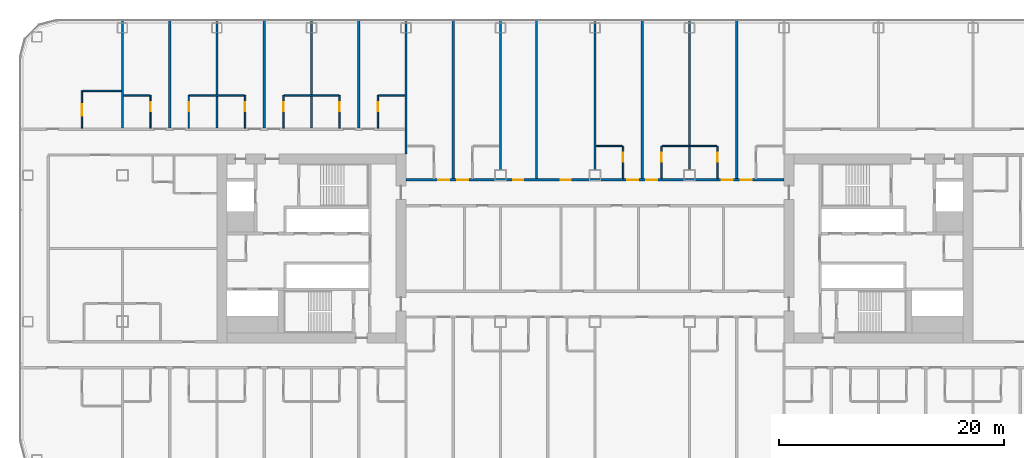
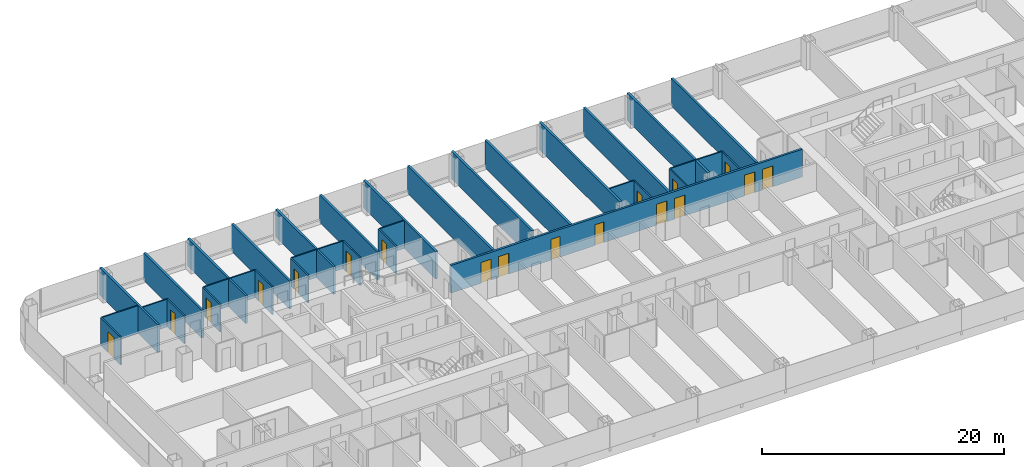
# One storey, part 17 of 29: 32 walls, 18 doors, 18 openings.
"""IFC4 building model written with IfcOpenShell, lengths in metres."""

from ifc_helpers import new_model, si_unit, direction, frame, frame_2d, origin, place, context, subcontext, project, spatial, rectangle, extrude, material, layer, layer_set, type_object, element, fill, save


model = new_model("IFC4")

# Units and contexts
model_context = context("Model", 3, precision=1e-05, world=origin(), true_north=direction((0.0, 1.0)))
body_context = subcontext(model_context, "Body", "Model", "MODEL_VIEW")
ifc_project = project(units=[si_unit("LENGTHUNIT", "METRE"), si_unit("AREAUNIT", "SQUARE_METRE"), si_unit("VOLUMEUNIT", "CUBIC_METRE"), si_unit("PLANEANGLEUNIT", "RADIAN"), si_unit("MASSUNIT", "GRAM", prefix="KILO")], contexts=[model_context])

# Site, building, storey
site_placement = place(None, origin())
site = spatial("IfcSite", under=ifc_project, at=site_placement, CompositionType="ELEMENT")
building_placement = place(site_placement, origin())
building = spatial("IfcBuilding", under=site, at=building_placement, Name="Hakoniwa Tower and Hamabe Station Hall", CompositionType="ELEMENT")
storey_placement = place(building_placement, frame((0.0, 0.0, 23.0)))
storey = spatial("IfcBuildingStorey", under=building, at=storey_placement, Name="L05", CompositionType="ELEMENT", Elevation=23.0)

# Walls
ifc_material_1 = material(Name="Gypsum board partition", Category="gypsum")
ifc_layer_1 = layer(ifc_material_1, 0.125)
ifc_layer_set_1 = layer_set([ifc_layer_1], Name="Bathroom Partition 125")
wall_type_1 = type_object("IfcWallType", Name="Bathroom Partition 125", PredefinedType="PARTITIONING", material=ifc_layer_set_1)
wall_1_placement = place(storey_placement, frame((0.10009765625, 9.10009765625, 0.0), z_axis=(0.0, 0.0, 1.0), x_axis=(1.0, 0.0, 0.0)))
element("IfcWall", 1, at=wall_1_placement, inside=storey, type_object=wall_type_1, Name="GW-L05-037", PredefinedType="PARTITIONING", context=body_context, shape_type="SweptSolid", body=[
    extrude(rectangle(XDim=2.33740234375, YDim=0.125, at=frame_2d((1.168701171875, 0.0))), origin(), (0.0, 0.0, 1.0), 2.800048828125),
])
wall_2_placement = place(storey_placement, frame((5.96240234375, 9.10009765625, 0.0), z_axis=(0.0, 0.0, 1.0), x_axis=(1.0, 0.0, 0.0)))
element("IfcWall", 2, at=wall_2_placement, inside=storey, type_object=wall_type_1, Name="GW-L05-038", PredefinedType="PARTITIONING", context=body_context, shape_type="SweptSolid", body=[
    extrude(rectangle(XDim=4.875, YDim=0.125, at=frame_2d((2.4375, 0.0))), origin(), (0.0, 0.0, 1.0), 2.800048828125),
])
wall_3_placement = place(storey_placement, frame((-41.89990234375, 13.60009765625, 0.0), z_axis=(0.0, 0.0, 1.0), x_axis=(1.0, 0.0, 0.0)))
element("IfcWall", 3, at=wall_3_placement, inside=storey, type_object=wall_type_1, Name="GW-L05-042", PredefinedType="PARTITIONING", context=body_context, shape_type="SweptSolid", body=[
    extrude(rectangle(XDim=2.33740234375, YDim=0.125, at=frame_2d((1.168701171875, 0.0))), origin(), (0.0, 0.0, 1.0), 2.800048828125),
])
for number, where, z_axis, x_axis, name in (
    (4, (-36.03759765625, 13.60009765625, 0.0), (0.0, 0.0, 1.0), (1.0, 0.0, 0.0), "GW-L05-043"),
    (5, (-27.637451171875, 13.60009765625, 0.0), (0.0, 0.0, 1.0), (1.0, 0.0, 0.0), "GW-L05-044"),
):
    element("IfcWall", number, at=place(storey_placement, frame(where, z_axis=z_axis, x_axis=x_axis)), inside=storey, type_object=wall_type_1, Name=name, PredefinedType="PARTITIONING", context=body_context, shape_type="SweptSolid", body=[
        extrude(rectangle(XDim=4.875, YDim=0.125, at=frame_2d((2.4375, 0.0))), origin(), (0.0, 0.0, 1.0), 2.800048828125),
    ])
wall_4_placement = place(storey_placement, frame((-19.237548828125, 13.60009765625, 0.0), z_axis=(0.0, 0.0, 1.0), x_axis=(1.0, 0.0, 0.0)))
element("IfcWall", 6, at=wall_4_placement, inside=storey, type_object=wall_type_1, Name="GW-L05-045", PredefinedType="PARTITIONING", context=body_context, shape_type="SweptSolid", body=[
    extrude(rectangle(XDim=2.337646484375, YDim=0.125, at=frame_2d((1.1689453125, 0.0))), origin(), (0.0, 0.0, 1.0), 2.800048828125),
])
wall_5_placement = place(storey_placement, frame((-45.53759765625, 14.0, 0.0), z_axis=(0.0, 0.0, 1.0), x_axis=(1.0, 0.0, 0.0)))
element("IfcWall", 7, at=wall_5_placement, inside=storey, type_object=wall_type_1, Name="GW-L05-046", PredefinedType="PARTITIONING", context=body_context, shape_type="SweptSolid", body=[
    extrude(rectangle(XDim=3.4375, YDim=0.125, at=frame_2d((1.71875, 0.0))), origin(), (0.0, 0.0, 1.0), 2.800048828125),
])

# Wall, opening, door
wall_6_placement = place(storey_placement, frame((-45.60009765625, 10.699951171875, 0.0), z_axis=(0.0, 0.0, 1.0), x_axis=(0.0, 1.0, 0.0)))
wall_6 = element("IfcWall", 8, at=wall_6_placement, inside=storey, type_object=wall_type_1, Name="GW-L05-049", PredefinedType="PARTITIONING", context=body_context, shape_type="SweptSolid", body=[
    extrude(rectangle(XDim=3.300048828125, YDim=0.125, at=frame_2d((1.64990234375, 0.0))), origin(), (0.0, 0.0, 1.0), 2.800048828125),
])
opening_1_placement = place(wall_6_placement, frame((1.10009765625, 0.0, 0.0)))
opening_1 = element("IfcOpeningElement", 9, at=opening_1_placement, cuts=wall_6, Name="Opening GD-G1B0-65", PredefinedType="OPENING", context=body_context, shape_type="SweptSolid", body=[
    extrude(rectangle(XDim=1.0, YDim=2.10009765625, at=frame_2d((0.5, 1.050048828125))), frame((0.0, 0.072509765625, 0.0), z_axis=(0.0, -1.0, 0.0), x_axis=(1.0, 0.0, 0.0)), (0.0, 0.0, 1.0), 0.14501953125),
])
ifc_material_2 = material(Name="Timber door leaf", Category="wood")
door_type_1 = type_object("IfcDoorType", Name="Accessible Bathroom Door 1000", OperationType="SINGLE_SWING_LEFT", PredefinedType="DOOR", material=ifc_material_2)
door_1_placement = place(opening_1_placement, origin())
door_1 = element("IfcDoor", 10, at=door_1_placement, inside=storey, type_object=door_type_1, Name="Door GD-G1B0-65", OperationType="SINGLE_SWING_LEFT", OverallHeight=2.10009765625, OverallWidth=1.0, PredefinedType="DOOR", context=body_context, shape_type="SweptSolid", body=[
    extrude(rectangle(XDim=1.0, YDim=2.10009765625, at=frame_2d((0.5, 1.050048828125))), frame((0.0, 0.02490234375, 0.0), z_axis=(0.0, -1.0, 0.0), x_axis=(1.0, 0.0, 0.0)), (0.0, 0.0, 1.0), 0.050048828125),
])
fill(opening_1, door_1)

wall_7_placement = place(storey_placement, frame((-39.5, 10.699951171875, 0.0), z_axis=(0.0, 0.0, 1.0), x_axis=(0.0, 1.0, 0.0)))
wall_7 = element("IfcWall", 11, at=wall_7_placement, inside=storey, type_object=wall_type_1, Name="GW-L05-055", PredefinedType="PARTITIONING", context=body_context, shape_type="SweptSolid", body=[
    extrude(rectangle(XDim=2.900146484375, YDim=0.125, at=frame_2d((1.4501953125, 0.0))), origin(), (0.0, 0.0, 1.0), 2.800048828125),
])
opening_2_placement = place(wall_7_placement, frame((1.5, 0.0, 0.0)))
opening_2 = element("IfcOpeningElement", 12, at=opening_2_placement, cuts=wall_7, Name="Opening GD-G1B0-67", PredefinedType="OPENING", context=body_context, shape_type="SweptSolid", body=[
    extrude(rectangle(XDim=0.800048828125, YDim=2.10009765625, at=frame_2d((0.39990234375, 1.050048828125))), frame((0.0, 0.072509765625, 0.0), z_axis=(0.0, -1.0, 0.0), x_axis=(1.0, 0.0, 0.0)), (0.0, 0.0, 1.0), 0.14501953125),
])
ifc_material_3 = material(Name="Timber door leaf", Category="wood")
door_type_2 = type_object("IfcDoorType", Name="Bathroom Door 800", OperationType="SINGLE_SWING_LEFT", PredefinedType="DOOR", material=ifc_material_3)
door_2_placement = place(opening_2_placement, origin())
door_2 = element("IfcDoor", 13, at=door_2_placement, inside=storey, type_object=door_type_2, Name="Door GD-G1B0-67", OperationType="SINGLE_SWING_LEFT", OverallHeight=2.10009765625, OverallWidth=0.800048828125, PredefinedType="DOOR", context=body_context, shape_type="SweptSolid", body=[
    extrude(rectangle(XDim=0.800048828125, YDim=2.10009765625, at=frame_2d((0.39990234375, 1.050048828125))), frame((0.0, 0.02490234375, 0.0), z_axis=(0.0, -1.0, 0.0), x_axis=(1.0, 0.0, 0.0)), (0.0, 0.0, 1.0), 0.050048828125),
])
fill(opening_2, door_2)

wall_8_placement = place(storey_placement, frame((-36.10009765625, 10.699951171875, 0.0), z_axis=(0.0, 0.0, 1.0), x_axis=(0.0, 1.0, 0.0)))
wall_8 = element("IfcWall", 14, at=wall_8_placement, inside=storey, type_object=wall_type_1, Name="GW-L05-062", PredefinedType="PARTITIONING", context=body_context, shape_type="SweptSolid", body=[
    extrude(rectangle(XDim=2.900146484375, YDim=0.125, at=frame_2d((1.4501953125, 0.0))), origin(), (0.0, 0.0, 1.0), 2.800048828125),
])
opening_3_placement = place(wall_8_placement, frame((1.5, 0.0, 0.0)))
opening_3 = element("IfcOpeningElement", 15, at=opening_3_placement, cuts=wall_8, Name="Opening GD-G1B0-69", PredefinedType="OPENING", context=body_context, shape_type="SweptSolid", body=[
    extrude(rectangle(XDim=0.800048828125, YDim=2.10009765625, at=frame_2d((0.39990234375, 1.050048828125))), frame((0.0, 0.072509765625, 0.0), z_axis=(0.0, -1.0, 0.0), x_axis=(1.0, 0.0, 0.0)), (0.0, 0.0, 1.0), 0.14501953125),
])
door_3_placement = place(opening_3_placement, origin())
door_3 = element("IfcDoor", 16, at=door_3_placement, inside=storey, type_object=door_type_2, Name="Door GD-G1B0-69", OperationType="SINGLE_SWING_RIGHT", OverallHeight=2.10009765625, OverallWidth=0.800048828125, PredefinedType="DOOR", context=body_context, shape_type="SweptSolid", body=[
    extrude(rectangle(XDim=0.800048828125, YDim=2.10009765625, at=frame_2d((0.39990234375, 1.050048828125))), frame((0.0, 0.02490234375, 0.0), z_axis=(0.0, -1.0, 0.0), x_axis=(1.0, 0.0, 0.0)), (0.0, 0.0, 1.0), 0.050048828125),
])
fill(opening_3, door_3)

wall_9_placement = place(storey_placement, frame((-31.10009765625, 10.699951171875, 0.0), z_axis=(0.0, 0.0, 1.0), x_axis=(0.0, 1.0, 0.0)))
wall_9 = element("IfcWall", 17, at=wall_9_placement, inside=storey, type_object=wall_type_1, Name="GW-L05-066", PredefinedType="PARTITIONING", context=body_context, shape_type="SweptSolid", body=[
    extrude(rectangle(XDim=2.900146484375, YDim=0.125, at=frame_2d((1.4501953125, 0.0))), origin(), (0.0, 0.0, 1.0), 2.800048828125),
])
opening_4_placement = place(wall_9_placement, frame((1.5, 0.0, 0.0)))
opening_4 = element("IfcOpeningElement", 18, at=opening_4_placement, cuts=wall_9, Name="Opening GD-G1B0-71", PredefinedType="OPENING", context=body_context, shape_type="SweptSolid", body=[
    extrude(rectangle(XDim=0.800048828125, YDim=2.10009765625, at=frame_2d((0.39990234375, 1.050048828125))), frame((0.0, 0.072509765625, 0.0), z_axis=(0.0, -1.0, 0.0), x_axis=(1.0, 0.0, 0.0)), (0.0, 0.0, 1.0), 0.14501953125),
])
door_4_placement = place(opening_4_placement, origin())
door_4 = element("IfcDoor", 19, at=door_4_placement, inside=storey, type_object=door_type_2, Name="Door GD-G1B0-71", OperationType="SINGLE_SWING_LEFT", OverallHeight=2.10009765625, OverallWidth=0.800048828125, PredefinedType="DOOR", context=body_context, shape_type="SweptSolid", body=[
    extrude(rectangle(XDim=0.800048828125, YDim=2.10009765625, at=frame_2d((0.39990234375, 1.050048828125))), frame((0.0, 0.02490234375, 0.0), z_axis=(0.0, -1.0, 0.0), x_axis=(1.0, 0.0, 0.0)), (0.0, 0.0, 1.0), 0.050048828125),
])
fill(opening_4, door_4)

wall_10_placement = place(storey_placement, frame((-27.699951171875, 10.699951171875, 0.0), z_axis=(0.0, 0.0, 1.0), x_axis=(0.0, 1.0, 0.0)))
wall_10 = element("IfcWall", 20, at=wall_10_placement, inside=storey, type_object=wall_type_1, Name="GW-L05-070", PredefinedType="PARTITIONING", context=body_context, shape_type="SweptSolid", body=[
    extrude(rectangle(XDim=2.900146484375, YDim=0.125, at=frame_2d((1.4501953125, 0.0))), origin(), (0.0, 0.0, 1.0), 2.800048828125),
])
opening_5_placement = place(wall_10_placement, frame((1.5, 0.0, 0.0)))
opening_5 = element("IfcOpeningElement", 21, at=opening_5_placement, cuts=wall_10, Name="Opening GD-G1B0-73", PredefinedType="OPENING", context=body_context, shape_type="SweptSolid", body=[
    extrude(rectangle(XDim=0.800048828125, YDim=2.10009765625, at=frame_2d((0.39990234375, 1.050048828125))), frame((0.0, 0.072509765625, 0.0), z_axis=(0.0, -1.0, 0.0), x_axis=(1.0, 0.0, 0.0)), (0.0, 0.0, 1.0), 0.14501953125),
])
door_5_placement = place(opening_5_placement, origin())
door_5 = element("IfcDoor", 22, at=door_5_placement, inside=storey, type_object=door_type_2, Name="Door GD-G1B0-73", OperationType="SINGLE_SWING_RIGHT", OverallHeight=2.10009765625, OverallWidth=0.800048828125, PredefinedType="DOOR", context=body_context, shape_type="SweptSolid", body=[
    extrude(rectangle(XDim=0.800048828125, YDim=2.10009765625, at=frame_2d((0.39990234375, 1.050048828125))), frame((0.0, 0.02490234375, 0.0), z_axis=(0.0, -1.0, 0.0), x_axis=(1.0, 0.0, 0.0)), (0.0, 0.0, 1.0), 0.050048828125),
])
fill(opening_5, door_5)

wall_11_placement = place(storey_placement, frame((-22.699951171875, 10.699951171875, 0.0), z_axis=(0.0, 0.0, 1.0), x_axis=(0.0, 1.0, 0.0)))
wall_11 = element("IfcWall", 23, at=wall_11_placement, inside=storey, type_object=wall_type_1, Name="GW-L05-074", PredefinedType="PARTITIONING", context=body_context, shape_type="SweptSolid", body=[
    extrude(rectangle(XDim=2.900146484375, YDim=0.125, at=frame_2d((1.4501953125, 0.0))), origin(), (0.0, 0.0, 1.0), 2.800048828125),
])
opening_6_placement = place(wall_11_placement, frame((1.5, 0.0, 0.0)))
opening_6 = element("IfcOpeningElement", 24, at=opening_6_placement, cuts=wall_11, Name="Opening GD-G1B0-75", PredefinedType="OPENING", context=body_context, shape_type="SweptSolid", body=[
    extrude(rectangle(XDim=0.800048828125, YDim=2.10009765625, at=frame_2d((0.39990234375, 1.050048828125))), frame((0.0, 0.072509765625, 0.0), z_axis=(0.0, -1.0, 0.0), x_axis=(1.0, 0.0, 0.0)), (0.0, 0.0, 1.0), 0.14501953125),
])
door_6_placement = place(opening_6_placement, origin())
door_6 = element("IfcDoor", 25, at=door_6_placement, inside=storey, type_object=door_type_2, Name="Door GD-G1B0-75", OperationType="SINGLE_SWING_LEFT", OverallHeight=2.10009765625, OverallWidth=0.800048828125, PredefinedType="DOOR", context=body_context, shape_type="SweptSolid", body=[
    extrude(rectangle(XDim=0.800048828125, YDim=2.10009765625, at=frame_2d((0.39990234375, 1.050048828125))), frame((0.0, 0.02490234375, 0.0), z_axis=(0.0, -1.0, 0.0), x_axis=(1.0, 0.0, 0.0)), (0.0, 0.0, 1.0), 0.050048828125),
])
fill(opening_6, door_6)

wall_12_placement = place(storey_placement, frame((-19.300048828125, 10.699951171875, 0.0), z_axis=(0.0, 0.0, 1.0), x_axis=(0.0, 1.0, 0.0)))
wall_12 = element("IfcWall", 26, at=wall_12_placement, inside=storey, type_object=wall_type_1, Name="GW-L05-078", PredefinedType="PARTITIONING", context=body_context, shape_type="SweptSolid", body=[
    extrude(rectangle(XDim=2.900146484375, YDim=0.125, at=frame_2d((1.4501953125, 0.0))), origin(), (0.0, 0.0, 1.0), 2.800048828125),
])
opening_7_placement = place(wall_12_placement, frame((1.5, 0.0, 0.0)))
opening_7 = element("IfcOpeningElement", 27, at=opening_7_placement, cuts=wall_12, Name="Opening GD-G1B0-77", PredefinedType="OPENING", context=body_context, shape_type="SweptSolid", body=[
    extrude(rectangle(XDim=0.800048828125, YDim=2.10009765625, at=frame_2d((0.39990234375, 1.050048828125))), frame((0.0, 0.072509765625, 0.0), z_axis=(0.0, -1.0, 0.0), x_axis=(1.0, 0.0, 0.0)), (0.0, 0.0, 1.0), 0.14501953125),
])
door_7_placement = place(opening_7_placement, origin())
door_7 = element("IfcDoor", 28, at=door_7_placement, inside=storey, type_object=door_type_2, Name="Door GD-G1B0-77", OperationType="SINGLE_SWING_RIGHT", OverallHeight=2.10009765625, OverallWidth=0.800048828125, PredefinedType="DOOR", context=body_context, shape_type="SweptSolid", body=[
    extrude(rectangle(XDim=0.800048828125, YDim=2.10009765625, at=frame_2d((0.39990234375, 1.050048828125))), frame((0.0, 0.02490234375, 0.0), z_axis=(0.0, -1.0, 0.0), x_axis=(1.0, 0.0, 0.0)), (0.0, 0.0, 1.0), 0.050048828125),
])
fill(opening_7, door_7)

wall_13_placement = place(storey_placement, frame((2.5, 6.199951171875, 0.0), z_axis=(0.0, 0.0, 1.0), x_axis=(0.0, 1.0, 0.0)))
wall_13 = element("IfcWall", 29, at=wall_13_placement, inside=storey, type_object=wall_type_1, Name="GW-L05-099", PredefinedType="PARTITIONING", context=body_context, shape_type="SweptSolid", body=[
    extrude(rectangle(XDim=2.900146484375, YDim=0.125, at=frame_2d((1.4501953125, 0.0))), origin(), (0.0, 0.0, 1.0), 2.800048828125),
])
opening_8_placement = place(wall_13_placement, frame((1.5, 0.0, 0.0)))
opening_8 = element("IfcOpeningElement", 30, at=opening_8_placement, cuts=wall_13, Name="Opening GD-G1B0-84", PredefinedType="OPENING", context=body_context, shape_type="SweptSolid", body=[
    extrude(rectangle(XDim=0.800048828125, YDim=2.10009765625, at=frame_2d((0.39990234375, 1.050048828125))), frame((0.0, 0.072509765625, 0.0), z_axis=(0.0, -1.0, 0.0), x_axis=(1.0, 0.0, 0.0)), (0.0, 0.0, 1.0), 0.14501953125),
])
door_8_placement = place(opening_8_placement, origin())
door_8 = element("IfcDoor", 31, at=door_8_placement, inside=storey, type_object=door_type_2, Name="Door GD-G1B0-84", OperationType="SINGLE_SWING_LEFT", OverallHeight=2.10009765625, OverallWidth=0.800048828125, PredefinedType="DOOR", context=body_context, shape_type="SweptSolid", body=[
    extrude(rectangle(XDim=0.800048828125, YDim=2.10009765625, at=frame_2d((0.39990234375, 1.050048828125))), frame((0.0, 0.02490234375, 0.0), z_axis=(0.0, -1.0, 0.0), x_axis=(1.0, 0.0, 0.0)), (0.0, 0.0, 1.0), 0.050048828125),
])
fill(opening_8, door_8)

wall_14_placement = place(storey_placement, frame((5.89990234375, 6.199951171875, 0.0), z_axis=(0.0, 0.0, 1.0), x_axis=(0.0, 1.0, 0.0)))
wall_14 = element("IfcWall", 32, at=wall_14_placement, inside=storey, type_object=wall_type_1, Name="GW-L05-102", PredefinedType="PARTITIONING", context=body_context, shape_type="SweptSolid", body=[
    extrude(rectangle(XDim=2.900146484375, YDim=0.125, at=frame_2d((1.4501953125, 0.0))), origin(), (0.0, 0.0, 1.0), 2.800048828125),
])
opening_9_placement = place(wall_14_placement, frame((1.5, 0.0, 0.0)))
opening_9 = element("IfcOpeningElement", 33, at=opening_9_placement, cuts=wall_14, Name="Opening GD-G1B0-85", PredefinedType="OPENING", context=body_context, shape_type="SweptSolid", body=[
    extrude(rectangle(XDim=0.800048828125, YDim=2.10009765625, at=frame_2d((0.39990234375, 1.050048828125))), frame((0.0, 0.072509765625, 0.0), z_axis=(0.0, -1.0, 0.0), x_axis=(1.0, 0.0, 0.0)), (0.0, 0.0, 1.0), 0.14501953125),
])
door_9_placement = place(opening_9_placement, origin())
door_9 = element("IfcDoor", 34, at=door_9_placement, inside=storey, type_object=door_type_2, Name="Door GD-G1B0-85", OperationType="SINGLE_SWING_RIGHT", OverallHeight=2.10009765625, OverallWidth=0.800048828125, PredefinedType="DOOR", context=body_context, shape_type="SweptSolid", body=[
    extrude(rectangle(XDim=0.800048828125, YDim=2.10009765625, at=frame_2d((0.39990234375, 1.050048828125))), frame((0.0, 0.02490234375, 0.0), z_axis=(0.0, -1.0, 0.0), x_axis=(1.0, 0.0, 0.0)), (0.0, 0.0, 1.0), 0.050048828125),
])
fill(opening_9, door_9)

wall_15_placement = place(storey_placement, frame((10.89990234375, 6.199951171875, 0.0), z_axis=(0.0, 0.0, 1.0), x_axis=(0.0, 1.0, 0.0)))
wall_15 = element("IfcWall", 35, at=wall_15_placement, inside=storey, type_object=wall_type_1, Name="GW-L05-107", PredefinedType="PARTITIONING", context=body_context, shape_type="SweptSolid", body=[
    extrude(rectangle(XDim=2.900146484375, YDim=0.125, at=frame_2d((1.4501953125, 0.0))), origin(), (0.0, 0.0, 1.0), 2.800048828125),
])
opening_10_placement = place(wall_15_placement, frame((1.5, 0.0, 0.0)))
opening_10 = element("IfcOpeningElement", 36, at=opening_10_placement, cuts=wall_15, Name="Opening GD-G1B0-87", PredefinedType="OPENING", context=body_context, shape_type="SweptSolid", body=[
    extrude(rectangle(XDim=0.800048828125, YDim=2.10009765625, at=frame_2d((0.39990234375, 1.050048828125))), frame((0.0, 0.072509765625, 0.0), z_axis=(0.0, -1.0, 0.0), x_axis=(1.0, 0.0, 0.0)), (0.0, 0.0, 1.0), 0.14501953125),
])
door_10_placement = place(opening_10_placement, origin())
door_10 = element("IfcDoor", 37, at=door_10_placement, inside=storey, type_object=door_type_2, Name="Door GD-G1B0-87", OperationType="SINGLE_SWING_LEFT", OverallHeight=2.10009765625, OverallWidth=0.800048828125, PredefinedType="DOOR", context=body_context, shape_type="SweptSolid", body=[
    extrude(rectangle(XDim=0.800048828125, YDim=2.10009765625, at=frame_2d((0.39990234375, 1.050048828125))), frame((0.0, 0.02490234375, 0.0), z_axis=(0.0, -1.0, 0.0), x_axis=(1.0, 0.0, 0.0)), (0.0, 0.0, 1.0), 0.050048828125),
])
fill(opening_10, door_10)

# Wall, openings, doors
ifc_material_4 = material(Name="Fire-rated gypsum board partition", Category="gypsum")
ifc_layer_2 = layer(ifc_material_4, 0.199951171875)
ifc_layer_set_2 = layer_set([ifc_layer_2], Name="Corridor Wall 200")
wall_type_2 = type_object("IfcWallType", Name="Corridor Wall 200", PredefinedType="PARTITIONING", material=ifc_layer_set_2)
wall_16_placement = place(storey_placement, frame((-16.800048828125, 6.10009765625, 0.0), z_axis=(0.0, 0.0, 1.0), x_axis=(1.0, 0.0, 0.0)))
wall_16 = element("IfcWall", 38, at=wall_16_placement, inside=storey, type_object=wall_type_2, Name="GW-L05-032", PredefinedType="PARTITIONING", context=body_context, shape_type="SweptSolid", body=[
    extrude(rectangle(XDim=33.60009765625, YDim=0.199951171875, at=frame_2d((16.800048828125, 0.0))), origin(), (0.0, 0.0, 1.0), 2.800048828125),
])
opening_11_placement = place(wall_16_placement, frame((2.85009765625, 0.0, 0.0)))
opening_11 = element("IfcOpeningElement", 39, at=opening_11_placement, cuts=wall_16, Name="Opening GD-G1B0-42", PredefinedType="OPENING", context=body_context, shape_type="SweptSolid", body=[
    extrude(rectangle(XDim=1.0, YDim=2.10009765625, at=frame_2d((0.5, 1.050048828125))), frame((0.0, 0.10986328125, 0.0), z_axis=(0.0, -1.0, 0.0), x_axis=(1.0, 0.0, 0.0)), (0.0, 0.0, 1.0), 0.219970703125),
])
opening_12_placement = place(wall_16_placement, frame((4.550048828125, 0.0, 0.0)))
opening_12 = element("IfcOpeningElement", 40, at=opening_12_placement, cuts=wall_16, Name="Opening GD-G1B0-43", PredefinedType="OPENING", context=body_context, shape_type="SweptSolid", body=[
    extrude(rectangle(XDim=1.0, YDim=2.10009765625, at=frame_2d((0.5, 1.050048828125))), frame((0.0, 0.10986328125, 0.0), z_axis=(0.0, -1.0, 0.0), x_axis=(1.0, 0.0, 0.0)), (0.0, 0.0, 1.0), 0.219970703125),
])
opening_13_placement = place(wall_16_placement, frame((9.544921875, 0.0, 0.0)))
opening_13 = element("IfcOpeningElement", 41, at=opening_13_placement, cuts=wall_16, Name="Opening GD-G1B0-44", PredefinedType="OPENING", context=body_context, shape_type="SweptSolid", body=[
    extrude(rectangle(XDim=0.89990234375, YDim=2.10009765625, at=frame_2d((0.449951171875, 1.050048828125))), frame((0.0, 0.10986328125, 0.0), z_axis=(0.0, -1.0, 0.0), x_axis=(1.0, 0.0, 0.0)), (0.0, 0.0, 1.0), 0.219970703125),
])
opening_14_placement = place(wall_16_placement, frame((13.7451171875, 0.0, 0.0)))
opening_14 = element("IfcOpeningElement", 42, at=opening_14_placement, cuts=wall_16, Name="Opening GD-G1B0-45", PredefinedType="OPENING", context=body_context, shape_type="SweptSolid", body=[
    extrude(rectangle(XDim=0.89990234375, YDim=2.10009765625, at=frame_2d((0.449951171875, 1.050048828125))), frame((0.0, 0.10986328125, 0.0), z_axis=(0.0, -1.0, 0.0), x_axis=(1.0, 0.0, 0.0)), (0.0, 0.0, 1.0), 0.219970703125),
])
opening_15_placement = place(wall_16_placement, frame((19.64990234375, 0.0, 0.0)))
opening_15 = element("IfcOpeningElement", 43, at=opening_15_placement, cuts=wall_16, Name="Opening GD-G1B0-46", PredefinedType="OPENING", context=body_context, shape_type="SweptSolid", body=[
    extrude(rectangle(XDim=1.0, YDim=2.10009765625, at=frame_2d((0.5, 1.050048828125))), frame((0.0, 0.10986328125, 0.0), z_axis=(0.0, -1.0, 0.0), x_axis=(1.0, 0.0, 0.0)), (0.0, 0.0, 1.0), 0.219970703125),
])
opening_16_placement = place(wall_16_placement, frame((21.35009765625, 0.0, 0.0)))
opening_16 = element("IfcOpeningElement", 44, at=opening_16_placement, cuts=wall_16, Name="Opening GD-G1B0-47", PredefinedType="OPENING", context=body_context, shape_type="SweptSolid", body=[
    extrude(rectangle(XDim=1.0, YDim=2.10009765625, at=frame_2d((0.5, 1.050048828125))), frame((0.0, 0.10986328125, 0.0), z_axis=(0.0, -1.0, 0.0), x_axis=(1.0, 0.0, 0.0)), (0.0, 0.0, 1.0), 0.219970703125),
])
opening_17_placement = place(wall_16_placement, frame((28.050048828125, 0.0, 0.0)))
opening_17 = element("IfcOpeningElement", 45, at=opening_17_placement, cuts=wall_16, Name="Opening GD-G1B0-48", PredefinedType="OPENING", context=body_context, shape_type="SweptSolid", body=[
    extrude(rectangle(XDim=1.0, YDim=2.10009765625, at=frame_2d((0.5, 1.050048828125))), frame((0.0, 0.10986328125, 0.0), z_axis=(0.0, -1.0, 0.0), x_axis=(1.0, 0.0, 0.0)), (0.0, 0.0, 1.0), 0.219970703125),
])
opening_18_placement = place(wall_16_placement, frame((29.75, 0.0, 0.0)))
opening_18 = element("IfcOpeningElement", 46, at=opening_18_placement, cuts=wall_16, Name="Opening GD-G1B0-49", PredefinedType="OPENING", context=body_context, shape_type="SweptSolid", body=[
    extrude(rectangle(XDim=1.0, YDim=2.10009765625, at=frame_2d((0.5, 1.050048828125))), frame((0.0, 0.10986328125, 0.0), z_axis=(0.0, -1.0, 0.0), x_axis=(1.0, 0.0, 0.0)), (0.0, 0.0, 1.0), 0.219970703125),
])
ifc_material_5 = material(Name="Timber door leaf", Category="wood")
door_type_3 = type_object("IfcDoorType", Name="Guest Entrance Door 1000", OperationType="SINGLE_SWING_LEFT", PredefinedType="DOOR", material=ifc_material_5)
door_11_placement = place(opening_11_placement, origin())
door_11 = element("IfcDoor", 47, at=door_11_placement, inside=storey, type_object=door_type_3, Name="Door GD-G1B0-42", OperationType="SINGLE_SWING_LEFT", OverallHeight=2.10009765625, OverallWidth=1.0, PredefinedType="DOOR", context=body_context, shape_type="SweptSolid", body=[
    extrude(rectangle(XDim=1.0, YDim=2.10009765625, at=frame_2d((0.5, 1.050048828125))), frame((0.0, 0.02490234375, 0.0), z_axis=(0.0, -1.0, 0.0), x_axis=(1.0, 0.0, 0.0)), (0.0, 0.0, 1.0), 0.050048828125),
])
fill(opening_11, door_11)
door_12_placement = place(opening_12_placement, origin())
door_12 = element("IfcDoor", 48, at=door_12_placement, inside=storey, type_object=door_type_3, Name="Door GD-G1B0-43", OperationType="SINGLE_SWING_RIGHT", OverallHeight=2.10009765625, OverallWidth=1.0, PredefinedType="DOOR", context=body_context, shape_type="SweptSolid", body=[
    extrude(rectangle(XDim=1.0, YDim=2.10009765625, at=frame_2d((0.5, 1.050048828125))), frame((0.0, 0.02490234375, 0.0), z_axis=(0.0, -1.0, 0.0), x_axis=(1.0, 0.0, 0.0)), (0.0, 0.0, 1.0), 0.050048828125),
])
fill(opening_12, door_12)
door_13_placement = place(opening_15_placement, origin())
door_13 = element("IfcDoor", 49, at=door_13_placement, inside=storey, type_object=door_type_3, Name="Door GD-G1B0-46", OperationType="SINGLE_SWING_LEFT", OverallHeight=2.10009765625, OverallWidth=1.0, PredefinedType="DOOR", context=body_context, shape_type="SweptSolid", body=[
    extrude(rectangle(XDim=1.0, YDim=2.10009765625, at=frame_2d((0.5, 1.050048828125))), frame((0.0, 0.02490234375, 0.0), z_axis=(0.0, -1.0, 0.0), x_axis=(1.0, 0.0, 0.0)), (0.0, 0.0, 1.0), 0.050048828125),
])
fill(opening_15, door_13)
door_14_placement = place(opening_16_placement, origin())
door_14 = element("IfcDoor", 50, at=door_14_placement, inside=storey, type_object=door_type_3, Name="Door GD-G1B0-47", OperationType="SINGLE_SWING_RIGHT", OverallHeight=2.10009765625, OverallWidth=1.0, PredefinedType="DOOR", context=body_context, shape_type="SweptSolid", body=[
    extrude(rectangle(XDim=1.0, YDim=2.10009765625, at=frame_2d((0.5, 1.050048828125))), frame((0.0, 0.02490234375, 0.0), z_axis=(0.0, -1.0, 0.0), x_axis=(1.0, 0.0, 0.0)), (0.0, 0.0, 1.0), 0.050048828125),
])
fill(opening_16, door_14)
door_15_placement = place(opening_17_placement, origin())
door_15 = element("IfcDoor", 51, at=door_15_placement, inside=storey, type_object=door_type_3, Name="Door GD-G1B0-48", OperationType="SINGLE_SWING_LEFT", OverallHeight=2.10009765625, OverallWidth=1.0, PredefinedType="DOOR", context=body_context, shape_type="SweptSolid", body=[
    extrude(rectangle(XDim=1.0, YDim=2.10009765625, at=frame_2d((0.5, 1.050048828125))), frame((0.0, 0.02490234375, 0.0), z_axis=(0.0, -1.0, 0.0), x_axis=(1.0, 0.0, 0.0)), (0.0, 0.0, 1.0), 0.050048828125),
])
fill(opening_17, door_15)
door_16_placement = place(opening_18_placement, origin())
door_16 = element("IfcDoor", 52, at=door_16_placement, inside=storey, type_object=door_type_3, Name="Door GD-G1B0-49", OperationType="SINGLE_SWING_RIGHT", OverallHeight=2.10009765625, OverallWidth=1.0, PredefinedType="DOOR", context=body_context, shape_type="SweptSolid", body=[
    extrude(rectangle(XDim=1.0, YDim=2.10009765625, at=frame_2d((0.5, 1.050048828125))), frame((0.0, 0.02490234375, 0.0), z_axis=(0.0, -1.0, 0.0), x_axis=(1.0, 0.0, 0.0)), (0.0, 0.0, 1.0), 0.050048828125),
])
fill(opening_18, door_16)
ifc_material_6 = material(Name="Timber door leaf", Category="wood")
door_type_4 = type_object("IfcDoorType", Name="Service Door 900", OperationType="SINGLE_SWING_LEFT", PredefinedType="DOOR", material=ifc_material_6)
door_17_placement = place(opening_13_placement, origin())
door_17 = element("IfcDoor", 53, at=door_17_placement, inside=storey, type_object=door_type_4, Name="Door GD-G1B0-44", OperationType="SINGLE_SWING_LEFT", OverallHeight=2.10009765625, OverallWidth=0.89990234375, PredefinedType="DOOR", context=body_context, shape_type="SweptSolid", body=[
    extrude(rectangle(XDim=0.89990234375, YDim=2.10009765625, at=frame_2d((0.449951171875, 1.050048828125))), frame((0.0, 0.02490234375, 0.0), z_axis=(0.0, -1.0, 0.0), x_axis=(1.0, 0.0, 0.0)), (0.0, 0.0, 1.0), 0.050048828125),
])
fill(opening_13, door_17)
door_18_placement = place(opening_14_placement, origin())
door_18 = element("IfcDoor", 54, at=door_18_placement, inside=storey, type_object=door_type_4, Name="Door GD-G1B0-45", OperationType="SINGLE_SWING_RIGHT", OverallHeight=2.10009765625, OverallWidth=0.89990234375, PredefinedType="DOOR", context=body_context, shape_type="SweptSolid", body=[
    extrude(rectangle(XDim=0.89990234375, YDim=2.10009765625, at=frame_2d((0.449951171875, 1.050048828125))), frame((0.0, 0.02490234375, 0.0), z_axis=(0.0, -1.0, 0.0), x_axis=(1.0, 0.0, 0.0)), (0.0, 0.0, 1.0), 0.050048828125),
])
fill(opening_14, door_18)

# Walls
ifc_material_7 = material(Name="Fire-rated gypsum board partition", Category="gypsum")
ifc_layer_3 = layer(ifc_material_7, 0.199951171875)
ifc_layer_set_3 = layer_set([ifc_layer_3], Name="Party Wall 200")
wall_type_3 = type_object("IfcWallType", Name="Party Wall 200", PredefinedType="PARTITIONING", material=ifc_layer_set_3)
for number, where, z_axis, x_axis, name in (
    (55, (-42.0, 10.699951171875, 0.0), (0.0, 0.0, 1.0), (0.0, 1.0, 0.0), "GW-L05-053"),
    (56, (-37.800048828125, 10.699951171875, 0.0), (0.0, 0.0, 1.0), (0.0, 1.0, 0.0), "GW-L05-059"),
    (57, (-33.60009765625, 10.699951171875, 0.0), (0.0, 0.0, 1.0), (0.0, 1.0, 0.0), "GW-L05-064"),
    (58, (-29.39990234375, 10.699951171875, 0.0), (0.0, 0.0, 1.0), (0.0, 1.0, 0.0), "GW-L05-068"),
    (59, (-25.199951171875, 10.699951171875, 0.0), (0.0, 0.0, 1.0), (0.0, 1.0, 0.0), "GW-L05-072"),
    (60, (-21.0, 10.699951171875, 0.0), (0.0, 0.0, 1.0), (0.0, 1.0, 0.0), "GW-L05-076"),
):
    element("IfcWall", number, at=place(storey_placement, frame(where, z_axis=z_axis, x_axis=x_axis)), inside=storey, type_object=wall_type_3, Name=name, PredefinedType="PARTITIONING", context=body_context, shape_type="SweptSolid", body=[
        extrude(rectangle(XDim=9.60009765625, YDim=0.199951171875, at=frame_2d((4.800048828125, 0.0))), origin(), (0.0, 0.0, 1.0), 2.800048828125),
    ])
wall_17_placement = place(storey_placement, frame((-16.800048828125, 8.389892578125, 0.0), z_axis=(0.0, 0.0, 1.0), x_axis=(0.0, 1.0, 0.0)))
element("IfcWall", 61, at=wall_17_placement, inside=storey, type_object=wall_type_3, Name="GW-L05-080", PredefinedType="PARTITIONING", context=body_context, shape_type="SweptSolid", body=[
    extrude(rectangle(XDim=11.91015625, YDim=0.199951171875, at=frame_2d((5.955078125, 0.0))), origin(), (0.0, 0.0, 1.0), 2.800048828125),
])
wall_18_placement = place(storey_placement, frame((-12.60009765625, 6.199951171875, 0.0), z_axis=(0.0, 0.0, 1.0), x_axis=(0.0, 1.0, 0.0)))
element("IfcWall", 62, at=wall_18_placement, inside=storey, type_object=wall_type_3, Name="GW-L05-084", PredefinedType="PARTITIONING", context=body_context, shape_type="SweptSolid", body=[
    extrude(rectangle(XDim=14.10009765625, YDim=0.199951171875, at=frame_2d((7.050048828125, 0.0))), origin(), (0.0, 0.0, 1.0), 2.800048828125),
])
wall_19_placement = place(storey_placement, frame((-8.39990234375, 6.989990234375, 0.0), z_axis=(0.0, 0.0, 1.0), x_axis=(0.0, 1.0, 0.0)))
element("IfcWall", 63, at=wall_19_placement, inside=storey, type_object=wall_type_3, Name="GW-L05-090", PredefinedType="PARTITIONING", context=body_context, shape_type="SweptSolid", body=[
    extrude(rectangle(XDim=13.31005859375, YDim=0.199951171875, at=frame_2d((6.655029296875, 0.0))), origin(), (0.0, 0.0, 1.0), 2.800048828125),
])
wall_20_placement = place(storey_placement, frame((-5.2099609375, 6.199951171875, 0.0), z_axis=(0.0, 0.0, 1.0), x_axis=(0.0, 1.0, 0.0)))
element("IfcWall", 64, at=wall_20_placement, inside=storey, type_object=wall_type_3, Name="GW-L05-092", PredefinedType="PARTITIONING", context=body_context, shape_type="SweptSolid", body=[
    extrude(rectangle(XDim=14.10009765625, YDim=0.199951171875, at=frame_2d((7.050048828125, 0.0))), origin(), (0.0, 0.0, 1.0), 2.800048828125),
])
wall_21_placement = place(storey_placement, frame((0.0, 6.989990234375, 0.0), z_axis=(0.0, 0.0, 1.0), x_axis=(0.0, 1.0, 0.0)))
element("IfcWall", 65, at=wall_21_placement, inside=storey, type_object=wall_type_3, Name="GW-L05-098", PredefinedType="PARTITIONING", context=body_context, shape_type="SweptSolid", body=[
    extrude(rectangle(XDim=13.31005859375, YDim=0.199951171875, at=frame_2d((6.655029296875, 0.0))), origin(), (0.0, 0.0, 1.0), 2.800048828125),
])
wall_22_placement = place(storey_placement, frame((4.199951171875, 6.199951171875, 0.0), z_axis=(0.0, 0.0, 1.0), x_axis=(0.0, 1.0, 0.0)))
element("IfcWall", 66, at=wall_22_placement, inside=storey, type_object=wall_type_3, Name="GW-L05-101", PredefinedType="PARTITIONING", context=body_context, shape_type="SweptSolid", body=[
    extrude(rectangle(XDim=14.10009765625, YDim=0.199951171875, at=frame_2d((7.050048828125, 0.0))), origin(), (0.0, 0.0, 1.0), 2.800048828125),
])
wall_23_placement = place(storey_placement, frame((8.39990234375, 6.989990234375, 0.0), z_axis=(0.0, 0.0, 1.0), x_axis=(0.0, 1.0, 0.0)))
element("IfcWall", 67, at=wall_23_placement, inside=storey, type_object=wall_type_3, Name="GW-L05-105", PredefinedType="PARTITIONING", context=body_context, shape_type="SweptSolid", body=[
    extrude(rectangle(XDim=13.31005859375, YDim=0.199951171875, at=frame_2d((6.655029296875, 0.0))), origin(), (0.0, 0.0, 1.0), 2.800048828125),
])
wall_24_placement = place(storey_placement, frame((12.60009765625, 6.199951171875, 0.0), z_axis=(0.0, 0.0, 1.0), x_axis=(0.0, 1.0, 0.0)))
element("IfcWall", 68, at=wall_24_placement, inside=storey, type_object=wall_type_3, Name="GW-L05-110", PredefinedType="PARTITIONING", context=body_context, shape_type="SweptSolid", body=[
    extrude(rectangle(XDim=14.10009765625, YDim=0.199951171875, at=frame_2d((7.050048828125, 0.0))), origin(), (0.0, 0.0, 1.0), 2.800048828125),
])

save(model, "model.ifc")
